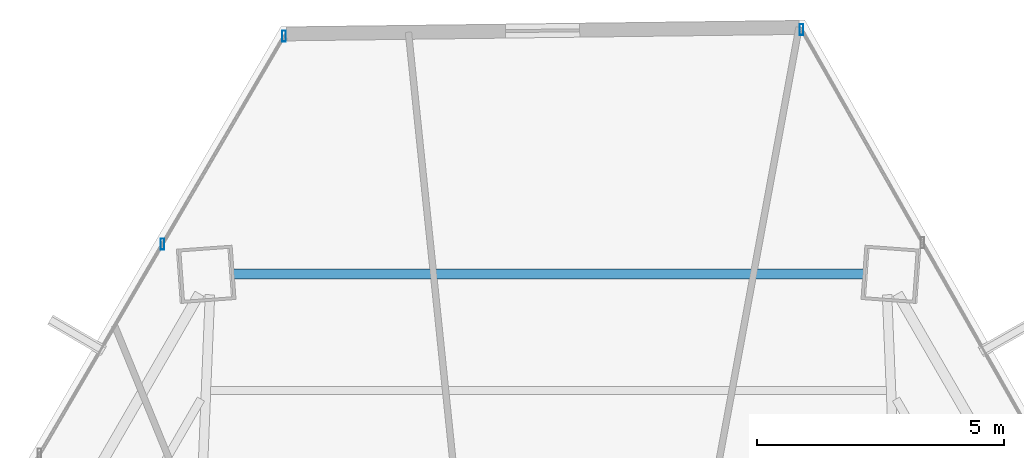
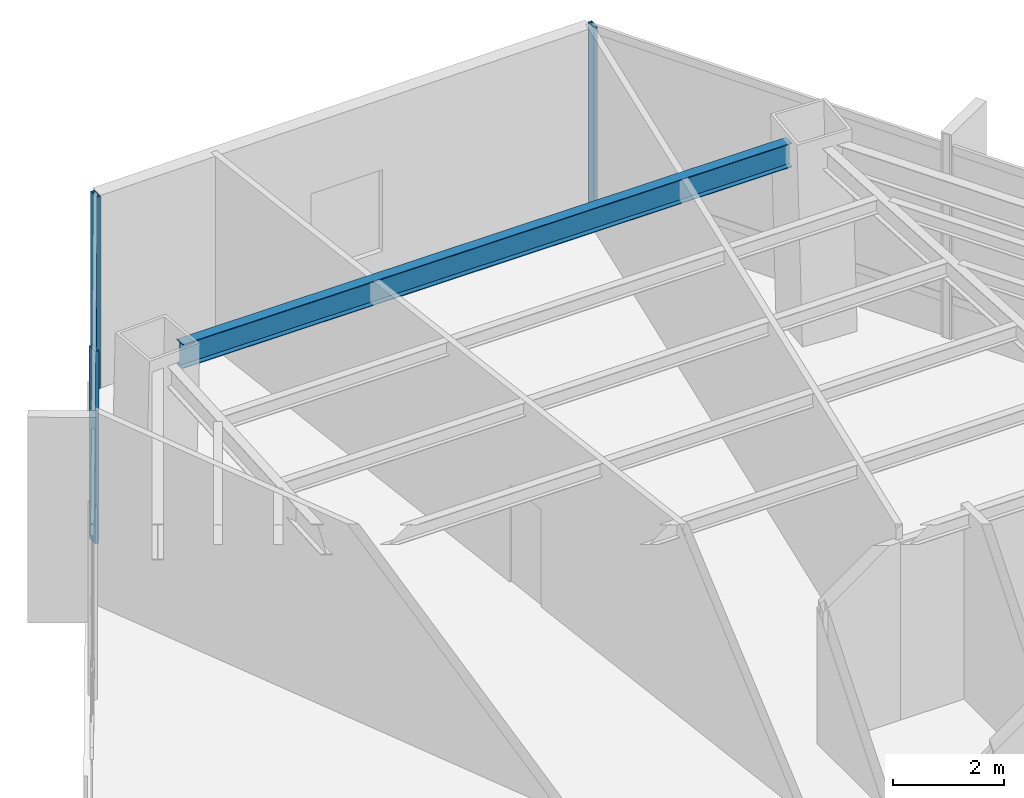
# One storey, part 26 of 37: 3 members, 1 beam, 2 elements without a shape of their own.
"""IFC4 building model written with IfcOpenShell, lengths in metres."""

from ifc_helpers import new_model, si_unit, direction, frame, origin, origin_2d, place, context, subcontext, project, spatial, hollow_rectangle, i_section, extrude, source, transform, mapped, material, material_profile, profile_set, type_object, type_shapes, element, aggregate, save


model = new_model("IFC4")

# Units and contexts
model_context = context("Model", 3, precision=1e-05, world=origin(), true_north=direction((0.0, 1.0)))
body_context = subcontext(model_context, "Body", "Model", "MODEL_VIEW")
ifc_project = project(units=[si_unit("LENGTHUNIT", "METRE"), si_unit("AREAUNIT", "SQUARE_METRE"), si_unit("VOLUMEUNIT", "CUBIC_METRE"), si_unit("PLANEANGLEUNIT", "RADIAN"), si_unit("MASSUNIT", "GRAM", prefix="KILO")], contexts=[model_context])

# Site, building, storey
site_placement = place(None, origin())
site = spatial("IfcSite", under=ifc_project, at=site_placement, CompositionType="ELEMENT")
building_placement = place(site_placement, origin())
building = spatial("IfcBuilding", under=site, at=building_placement, Name="Caelisora Broadcast Tower", CompositionType="ELEMENT")
storey_placement = place(building_placement, frame((0.0, 0.0, 127.300048828125)))
storey = spatial("IfcBuildingStorey", under=building, at=storey_placement, Name="L33", CompositionType="ELEMENT", Elevation=127.300048828125)

# Beam
ifc_material_1 = material(Name="Steel Grade 350 (AS/NZS 3679.1)", Category="steel")
ifc_material_profile_1 = material_profile(ifc_material_1, i_section(OverallWidth=0.208984375, OverallDepth=0.532958984375, WebThickness=0.01025390625, FlangeThickness=0.015625, at=origin_2d()), Name="Steel Grade 350 (AS/NZS 3679.1)")
ifc_profile_set_1 = profile_set([ifc_material_profile_1], Name="Steel Grade 350 (AS/NZS 3679.1)")
beam_type = type_object("IfcBeamType", Name="PG05", PredefinedType="BEAM", material=ifc_profile_set_1)
shared_shape_1 = source(origin(), body_context, "Body", "SweptSolid", [
    extrude(i_section(OverallWidth=0.208984375, OverallDepth=0.532958984375, WebThickness=0.01025390625, FlangeThickness=0.015625, at=origin_2d()), origin(), (0.0, 0.0, 1.0), 12.724609375),
])
type_shapes(beam_type, [shared_shape_1])
beam_placement = place(storey_placement, frame((44.3623046875, 46.455322265625, 3.9833984375), z_axis=(-1.0, 0.0, 0.0), x_axis=(0.0, -1.0, 0.0)))
element("IfcBeam", 1, at=beam_placement, inside=storey, type_object=beam_type, Name="L33 beam PG05", PredefinedType="BEAM", context=body_context, shape_type="MappedRepresentation", body=[
    mapped(shared_shape_1, transform((0.0, 0.0, 0.0), scale=1.0)),
])

# Curtain wall, member
ifc_material_2 = material(Name="Unitised Aluminium and Low-E Glass Curtain Wall", Category="glass")
curtain_wall_type = type_object("IfcCurtainWallType", Name="CW-SKY", PredefinedType="NOTDEFINED", material=ifc_material_2)
curtain_wall_1_placement = place(storey_placement, origin())
curtain_wall_1 = element("IfcCurtainWall", 2, at=curtain_wall_1_placement, inside=storey, type_object=curtain_wall_type, Name="L33 curtain wall CW-SKY", PredefinedType="NOTDEFINED")
ifc_material_3 = material(Name="Aluminium 6063-T6 Anodised Terracotta Bronze", Category="aluminium")
ifc_material_profile_2 = material_profile(ifc_material_3, hollow_rectangle(XDim=0.074951171875, YDim=0.219970703125, WallThickness=0.00390625, at=origin_2d()), Name="Aluminium 6063-T6 Anodised Terracotta Bronze")
ifc_profile_set_2 = profile_set([ifc_material_profile_2], Name="Aluminium 6063-T6 Anodised Terracotta Bronze")
member_type = type_object("IfcMemberType", Name="CWM-01", PredefinedType="MULLION", material=ifc_profile_set_2)
shared_shape_2 = source(origin(), body_context, "Body", "SweptSolid", [
    extrude(hollow_rectangle(XDim=0.074951171875, YDim=0.219970703125, WallThickness=0.00390625, at=origin_2d()), origin(), (0.0, 0.0, 1.0), 4.25),
])
type_shapes(member_type, [shared_shape_2])
member_1_placement = place(storey_placement, frame((43.11376953125, 51.392578125, 0.0), z_axis=(0.0, 0.0, 1.0), x_axis=(1.0, 0.0, 0.0)))
member_1 = element("IfcMember", 3, at=member_1_placement, type_object=member_type, Name="L33-CW-B01 mullion #0", PredefinedType="MULLION", context=body_context, shape_type="MappedRepresentation", body=[
    mapped(shared_shape_2, transform((0.0, 0.0, 0.0), scale=1.0)),
])
aggregate(curtain_wall_1, [member_1])

# Curtain wall, members
curtain_wall_2_placement = place(storey_placement, origin())
curtain_wall_2 = element("IfcCurtainWall", 4, at=curtain_wall_2_placement, inside=storey, type_object=curtain_wall_type, Name="L33 curtain wall CW-SKY", PredefinedType="NOTDEFINED")
member_2_placement = place(storey_placement, frame((30.2001953125, 47.0595703125, 0.0), z_axis=(0.0, 0.0, 1.0), x_axis=(1.0, 0.0, 0.0)))
member_2 = element("IfcMember", 5, at=member_2_placement, type_object=member_type, Name="L33-CW-B11 mullion #2", PredefinedType="MULLION", context=body_context, shape_type="MappedRepresentation", body=[
    mapped(shared_shape_2, transform((0.0, 0.0, 0.0), scale=1.0)),
])
member_3_placement = place(storey_placement, frame((32.65576171875, 51.26171875, 0.0), z_axis=(0.0, 0.0, 1.0), x_axis=(1.0, 0.0, 0.0)))
member_3 = element("IfcMember", 6, at=member_3_placement, type_object=member_type, Name="L33-CW-B11 mullion #3", PredefinedType="MULLION", context=body_context, shape_type="MappedRepresentation", body=[
    mapped(shared_shape_2, transform((0.0, 0.0, 0.0), scale=1.0)),
])
aggregate(curtain_wall_2, [member_2, member_3])

save(model, "model.ifc")
